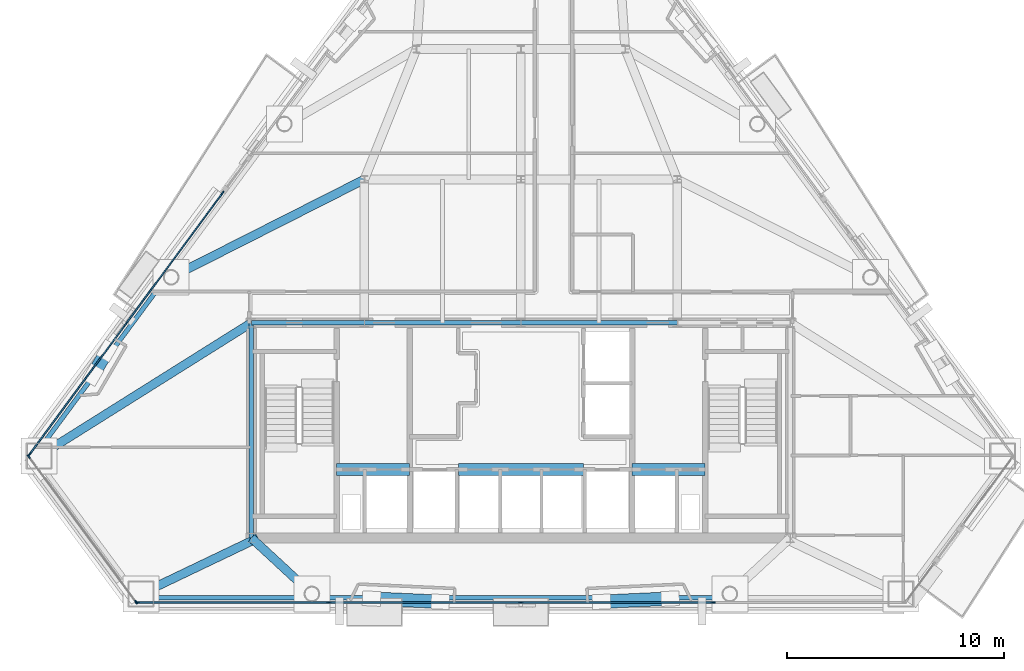
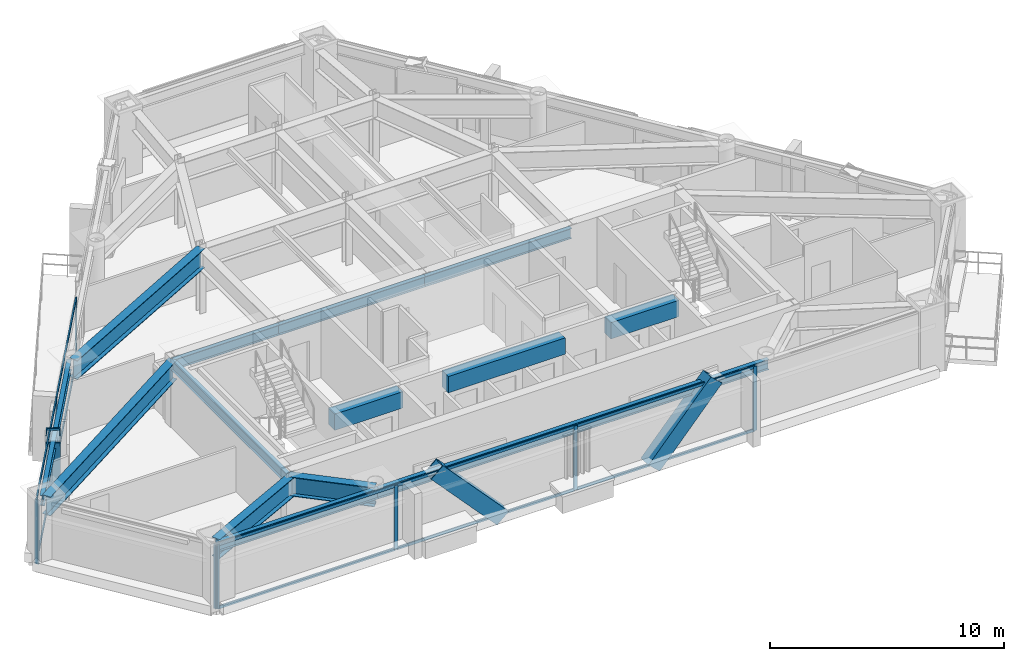
# One storey, part 3 of 11: 22 members, 14 beams, 3 elements without a shape of their own.
"""IFC4 building model written with IfcOpenShell, lengths in metres."""

from ifc_helpers import new_model, si_unit, direction, frame, origin, origin_2d, place, context, subcontext, project, spatial, rectangle, hollow_rectangle, i_section, extrude, material, layer, layer_set, material_profile, profile_set, type_object, element, aggregate, save


model = new_model("IFC4")

# Units and contexts
model_context = context("Model", 3, precision=1e-05, world=origin(), true_north=direction((0.0, 1.0)))
body_context = subcontext(model_context, "Body", "Model", "MODEL_VIEW")
ifc_project = project(units=[si_unit("LENGTHUNIT", "METRE"), si_unit("AREAUNIT", "SQUARE_METRE"), si_unit("VOLUMEUNIT", "CUBIC_METRE"), si_unit("PLANEANGLEUNIT", "RADIAN"), si_unit("MASSUNIT", "GRAM", prefix="KILO")], contexts=[model_context])

# Site, building, storey
site_placement = place(None, origin())
site = spatial("IfcSite", under=ifc_project, at=site_placement, CompositionType="ELEMENT")
building_placement = place(site_placement, origin())
building = spatial("IfcBuilding", under=site, at=building_placement, Name="Talgorran Terracotta Tower", CompositionType="ELEMENT")
storey_placement = place(building_placement, frame((0.0, 0.0, 154.5)))
storey = spatial("IfcBuildingStorey", under=building, at=storey_placement, Name="L40", CompositionType="ELEMENT", Elevation=154.5)

# Beams
ifc_material_1 = material(Name="Steel Grade 350 (350L0)", Category="steel")
ifc_material_profile_1 = material_profile(ifc_material_1, i_section(OverallWidth=0.39990234375, OverallDepth=1.0, WebThickness=0.01611328125, FlangeThickness=0.031005859375, at=origin_2d()), Name="1000WB296")
ifc_profile_set_1 = profile_set([ifc_material_profile_1], Name="Steel Grade 350 (350L0)")
beam_type_1 = type_object("IfcBeamType", Name="BM_1000WB296", PredefinedType="BEAM", material=ifc_profile_set_1)
beam_1_placement = place(storey_placement, frame((-9.615966796875, -16.67431640625, 2.85009765625), z_axis=(-0.734220592544, 0.678910982003, 0.0), x_axis=(-0.678910982003, -0.734220592544, 0.0)))
element("IfcBeam", 1, at=beam_1_placement, inside=storey, type_object=beam_type_1, Name="L40 South-West Core Tie Beam", PredefinedType="BEAM", context=body_context, shape_type="SweptSolid", body=[
    extrude(i_section(OverallWidth=0.39990234375, OverallDepth=1.0, WebThickness=0.01611328125, FlangeThickness=0.031005859375, at=origin_2d()), origin(), (0.0, 0.0, 1.0), 3.791748046875),
])
beam_2_placement = place(storey_placement, frame((-17.483642578125, -16.67431640625, 2.85009765625), z_axis=(0.902168144999, 0.43138455947, 0.0), x_axis=(-0.43138455947, 0.902168144999, 0.0)))
element("IfcBeam", 2, at=beam_2_placement, inside=storey, type_object=beam_type_1, Name="L40 Perimeter Step Girder 2", PredefinedType="BEAM", context=body_context, shape_type="SweptSolid", body=[
    extrude(i_section(OverallWidth=0.39990234375, OverallDepth=1.0, WebThickness=0.01611328125, FlangeThickness=0.031005859375, at=origin_2d()), origin(), (0.0, 0.0, 1.0), 5.96728515625),
])
beam_3_placement = place(storey_placement, frame((-7.199951171875, 2.39990234375, 2.85009765625), z_axis=(-0.892122666424, -0.451793258087, 0.0), x_axis=(0.451793258087, -0.892122666424, 0.0)))
element("IfcBeam", 3, at=beam_3_placement, inside=storey, type_object=beam_type_1, Name="L40 Floor Girder G06", PredefinedType="BEAM", context=body_context, shape_type="SweptSolid", body=[
    extrude(i_section(OverallWidth=0.39990234375, OverallDepth=1.0, WebThickness=0.01611328125, FlangeThickness=0.031005859375, at=origin_2d()), origin(), (0.0, 0.0, 1.0), 9.966796875),
])
beam_4_placement = place(storey_placement, frame((-12.39990234375, -4.199951171875, 2.85009765625), z_axis=(-0.846977550412, -0.531628657145, 0.0), x_axis=(0.531628657145, -0.846977550412, 0.0)))
element("IfcBeam", 4, at=beam_4_placement, inside=storey, type_object=beam_type_1, Name="L40 Floor Girder G17", PredefinedType="BEAM", context=body_context, shape_type="SweptSolid", body=[
    extrude(i_section(OverallWidth=0.39990234375, OverallDepth=1.0, WebThickness=0.01611328125, FlangeThickness=0.031005859375, at=origin_2d()), origin(), (0.0, 0.0, 1.0), 11.533203125),
])
ifc_material_2 = material(Name="Concrete C50/60", Category="concrete")
ifc_material_profile_2 = material_profile(ifc_material_2, rectangle(XDim=0.550048828125, YDim=0.85009765625, at=origin_2d()), Name="RCCB550X850")
ifc_profile_set_2 = profile_set([ifc_material_profile_2], Name="Concrete C50/60")
beam_type_2 = type_object("IfcBeamType", Name="BM_CB_550X850", PredefinedType="LINTEL", material=ifc_profile_set_2)
beam_5_placement = place(storey_placement, frame((-8.47998046875, -10.949951171875, 2.925048828125), z_axis=(1.0, 0.0, 0.0), x_axis=(0.0, 1.0, 0.0)))
element("IfcBeam", 5, at=beam_5_placement, inside=storey, type_object=beam_type_2, Name="L40 Core Shear-Wall Coupling Beam CB1", PredefinedType="LINTEL", context=body_context, shape_type="SweptSolid", body=[
    extrude(rectangle(XDim=0.550048828125, YDim=0.85009765625, at=origin_2d()), origin(), (0.0, 0.0, 1.0), 3.35986328125),
])
beam_6_placement = place(storey_placement, frame((-2.8798828125, -10.949951171875, 2.925048828125), z_axis=(1.0, 0.0, 0.0), x_axis=(0.0, 1.0, 0.0)))
element("IfcBeam", 6, at=beam_6_placement, inside=storey, type_object=beam_type_2, Name="L40 Core Shear-Wall Coupling Beam CB2", PredefinedType="LINTEL", context=body_context, shape_type="SweptSolid", body=[
    extrude(rectangle(XDim=0.550048828125, YDim=0.85009765625, at=origin_2d()), origin(), (0.0, 0.0, 1.0), 5.759765625),
])
beam_7_placement = place(storey_placement, frame((5.1201171875, -10.949951171875, 2.925048828125), z_axis=(1.0, 0.0, 0.0), x_axis=(0.0, 1.0, 0.0)))
element("IfcBeam", 7, at=beam_7_placement, inside=storey, type_object=beam_type_2, Name="L40 Core Shear-Wall Coupling Beam CB3", PredefinedType="LINTEL", context=body_context, shape_type="SweptSolid", body=[
    extrude(rectangle(XDim=0.550048828125, YDim=0.85009765625, at=origin_2d()), origin(), (0.0, 0.0, 1.0), 3.35986328125),
])
ifc_material_3 = material(Name="Steel S355 (300PLUS)", Category="steel")
ifc_material_profile_3 = material_profile(ifc_material_3, i_section(OverallWidth=0.209228515625, OverallDepth=0.532958984375, WebThickness=0.01025390625, FlangeThickness=0.015625, at=origin_2d()), Name="530UB92.4")
ifc_profile_set_3 = profile_set([ifc_material_profile_3], Name="Steel S355 (300PLUS)")
beam_type_3 = type_object("IfcBeamType", Name="BM_SP_530UB92", PredefinedType="SPANDREL", material=ifc_profile_set_3)
beam_8_placement = place(storey_placement, frame((-17.483642578125, -16.8544921875, 3.08349609375), z_axis=(1.0, 0.0, 0.0), x_axis=(0.0, 1.0, 0.0)))
element("IfcBeam", 8, at=beam_8_placement, inside=storey, type_object=beam_type_3, Name="L40 Perimeter Spandrel Beam MC2-FC1", PredefinedType="SPANDREL", context=body_context, shape_type="SweptSolid", body=[
    extrude(i_section(OverallWidth=0.209228515625, OverallDepth=0.532958984375, WebThickness=0.01025390625, FlangeThickness=0.015625, at=origin_2d()), origin(), (0.0, 0.0, 1.0), 7.86767578125),
])
beam_9_placement = place(storey_placement, frame((-9.615966796875, -16.8544921875, 3.08349609375), z_axis=(1.0, 0.0, 0.0), x_axis=(0.0, 1.0, 0.0)))
element("IfcBeam", 9, at=beam_9_placement, inside=storey, type_object=beam_type_3, Name="L40 Perimeter Spandrel Beam FC1-FC2", PredefinedType="SPANDREL", context=body_context, shape_type="SweptSolid", body=[
    extrude(i_section(OverallWidth=0.209228515625, OverallDepth=0.532958984375, WebThickness=0.01025390625, FlangeThickness=0.015625, at=origin_2d()), origin(), (0.0, 0.0, 1.0), 19.23193359375),
])
beam_10_placement = place(storey_placement, frame((-16.236328125, -1.99609375, 3.08349609375), z_axis=(-0.594068215055, -0.804414666613, 0.0), x_axis=(0.804414666613, -0.594068215055, 0.0)))
element("IfcBeam", 10, at=beam_10_placement, inside=storey, type_object=beam_type_3, Name="L40 Perimeter Spandrel Beam FC6-MC1", PredefinedType="SPANDREL", context=body_context, shape_type="SweptSolid", body=[
    extrude(i_section(OverallWidth=0.209228515625, OverallDepth=0.532958984375, WebThickness=0.01025390625, FlangeThickness=0.015625, at=origin_2d()), origin(), (0.0, 0.0, 1.0), 10.22900390625),
])
beam_11_placement = place(storey_placement, frame((-12.39990234375, -14.10009765625, 3.08349609375), z_axis=(0.0, 1.0, 0.0), x_axis=(-1.0, 0.0, 0.0)))
element("IfcBeam", 11, at=beam_11_placement, inside=storey, type_object=beam_type_3, Name="L40 Core Frame Beam CFW", PredefinedType="SPANDREL", context=body_context, shape_type="SweptSolid", body=[
    extrude(i_section(OverallWidth=0.209228515625, OverallDepth=0.532958984375, WebThickness=0.01025390625, FlangeThickness=0.015625, at=origin_2d()), origin(), (0.0, 0.0, 1.0), 9.900146484375),
])
beam_12_placement = place(storey_placement, frame((-12.39990234375, -4.199951171875, 3.08349609375), z_axis=(1.0, 0.0, 0.0), x_axis=(0.0, 1.0, 0.0)))
element("IfcBeam", 12, at=beam_12_placement, inside=storey, type_object=beam_type_3, Name="L40 Core Frame Beam CFN1", PredefinedType="SPANDREL", context=body_context, shape_type="SweptSolid", body=[
    extrude(i_section(OverallWidth=0.209228515625, OverallDepth=0.532958984375, WebThickness=0.01025390625, FlangeThickness=0.015625, at=origin_2d()), origin(), (0.0, 0.0, 1.0), 5.199951171875),
])
for number, where, z_axis, x_axis, name in (
    (13, (-7.199951171875, -4.199951171875, 3.08349609375), (1.0, 0.0, 0.0), (0.0, 1.0, 0.0), "L40 Core Frame Beam CFN2"),
    (14, (0.0, -4.199951171875, 3.08349609375), (1.0, 0.0, 0.0), (0.0, 1.0, 0.0), "L40 Core Frame Beam CFN3"),
):
    element("IfcBeam", number, at=place(storey_placement, frame(where, z_axis=z_axis, x_axis=x_axis)), inside=storey, type_object=beam_type_3, Name=name, PredefinedType="SPANDREL", context=body_context, shape_type="SweptSolid", body=[
        extrude(i_section(OverallWidth=0.209228515625, OverallDepth=0.532958984375, WebThickness=0.01025390625, FlangeThickness=0.015625, at=origin_2d()), origin(), (0.0, 0.0, 1.0), 7.199951171875),
    ])

# Members
ifc_material_profile_4 = material_profile(ifc_material_1, hollow_rectangle(XDim=0.6201171875, YDim=0.780029296875, WallThickness=0.0419921875, at=origin_2d()), Name="WBOX780X620X42")
ifc_profile_set_4 = profile_set([ifc_material_profile_4], Name="Steel Grade 350 (350L0)")
member_type_1 = type_object("IfcMemberType", Name="MB_MEGA_780", PredefinedType="BRACE", material=ifc_profile_set_4)
for number, where, z_axis, x_axis, name in (
    (15, (-3.709716796875, -17.034423828125, -0.02490234375), (-0.680536774119, 0.031119864845, 0.732052766598), (-0.045680674118, -0.998956093135, 0.0), "L40 Exterior Face Mega-Brace MB-2 (SWF)"),
    (16, (3.709716796875, -17.034423828125, -0.02490234375), (0.680536774119, 0.031119864845, 0.732052766598), (-0.045680674118, 0.998956093135, 0.0), "L40 Exterior Face Mega-Brace MB-2 (SEF)"),
):
    element("IfcMember", number, at=place(storey_placement, frame(where, z_axis=z_axis, x_axis=x_axis)), inside=storey, type_object=member_type_1, Name=name, PredefinedType="BRACE", context=body_context, shape_type="SweptSolid", body=[
        extrude(hollow_rectangle(XDim=0.6201171875, YDim=0.780029296875, WallThickness=0.0419921875, at=origin_2d()), origin(), (0.0, 0.0, 1.0), 4.644287109375),
    ])
member_1_placement = place(storey_placement, frame((-19.037353515625, -5.48583984375, -0.02490234375), z_axis=(-0.178524547702, -0.305399216855, 0.935339673174), x_axis=(0.863317156453, -0.504661755411, 0.0)))
element("IfcMember", 17, at=member_1_placement, inside=storey, type_object=member_type_1, Name="L40 Exterior Face Mega-Brace MB-2 (NWL)", PredefinedType="BRACE", context=body_context, shape_type="SweptSolid", body=[
    extrude(hollow_rectangle(XDim=0.6201171875, YDim=0.780029296875, WallThickness=0.0419921875, at=origin_2d()), origin(), (0.0, 0.0, 1.0), 3.635009765625),
])

# Curtain wall, members
ifc_material_4 = material(Name="Unitised Low-E Double Glazing", Category="glass")
ifc_layer = layer(ifc_material_4, 0.199951171875, Name="CW_SYS2_RES_LOW")
ifc_layer_set = layer_set([ifc_layer], Name="Unitised Low-E Double Glazing")
curtain_wall_type = type_object("IfcCurtainWallType", Name="CW_SYS2_RES_LOW", PredefinedType="NOTDEFINED", material=ifc_layer_set)
curtain_wall_1_placement = place(storey_placement, origin())
curtain_wall_1 = element("IfcCurtainWall", 18, at=curtain_wall_1_placement, inside=storey, type_object=curtain_wall_type, Name="CW-L40-F0", PredefinedType="NOTDEFINED")
ifc_material_5 = material(Name="Architectural Aluminium 6063-T6", Category="aluminium")
ifc_material_profile_5 = material_profile(ifc_material_5, rectangle(XDim=0.06494140625, YDim=0.18505859375, at=origin_2d()), Name="CWM65X185")
ifc_profile_set_5 = profile_set([ifc_material_profile_5], Name="Architectural Aluminium 6063-T6")
member_type_2 = type_object("IfcMemberType", Name="MUL_65X185", PredefinedType="MULLION", material=ifc_profile_set_5)
member_2_placement = place(storey_placement, frame((-22.646240234375, -10.357421875, 0.0), z_axis=(0.0, 0.0, 1.0), x_axis=(0.804404412487, 0.594082099689, 0.0)))
member_2 = element("IfcMember", 19, at=member_2_placement, type_object=member_type_2, Name="CW-L40-0 mullion 1", PredefinedType="MULLION", context=body_context, shape_type="SweptSolid", body=[
    extrude(rectangle(XDim=0.06494140625, YDim=0.18505859375, at=origin_2d()), origin(), (0.0, 0.0, 1.0), 3.35009765625),
])
member_3_placement = place(storey_placement, frame((-17.70458984375, -17.04833984375, 0.0), z_axis=(0.0, 0.0, 1.0), x_axis=(0.804404412487, 0.594082099689, 0.0)))
member_3 = element("IfcMember", 20, at=member_3_placement, type_object=member_type_2, Name="CW-L40-0 mullion 2", PredefinedType="MULLION", context=body_context, shape_type="SweptSolid", body=[
    extrude(rectangle(XDim=0.06494140625, YDim=0.18505859375, at=origin_2d()), origin(), (0.0, 0.0, 1.0), 3.35009765625),
])
aggregate(curtain_wall_1, [member_2, member_3])

curtain_wall_2_placement = place(storey_placement, origin())
curtain_wall_2 = element("IfcCurtainWall", 21, at=curtain_wall_2_placement, inside=storey, type_object=curtain_wall_type, Name="CW-L40-F1", PredefinedType="NOTDEFINED")
member_4_placement = place(storey_placement, frame((-17.65283203125, -17.074462890625, 0.0), z_axis=(0.0, 0.0, 1.0), x_axis=(0.0, 1.0, 0.0)))
member_4 = element("IfcMember", 22, at=member_4_placement, type_object=member_type_2, Name="CW-L40-1 mullion 1", PredefinedType="MULLION", context=body_context, shape_type="SweptSolid", body=[
    extrude(rectangle(XDim=0.06494140625, YDim=0.18505859375, at=origin_2d()), origin(), (0.0, 0.0, 1.0), 3.35009765625),
])
member_5_placement = place(storey_placement, frame((-8.8427734375, -17.074462890625, 0.0), z_axis=(0.0, 0.0, 1.0), x_axis=(0.0, 1.0, 0.0)))
member_5 = element("IfcMember", 23, at=member_5_placement, type_object=member_type_2, Name="CW-L40-1 mullion 2", PredefinedType="MULLION", context=body_context, shape_type="SweptSolid", body=[
    extrude(rectangle(XDim=0.06494140625, YDim=0.18505859375, at=origin_2d()), origin(), (0.0, 0.0, 1.0), 3.35009765625),
])
member_6_placement = place(storey_placement, frame((0.0, -17.074462890625, 0.0), z_axis=(0.0, 0.0, 1.0), x_axis=(0.0, 1.0, 0.0)))
member_6 = element("IfcMember", 24, at=member_6_placement, type_object=member_type_2, Name="CW-L40-1 mullion 3", PredefinedType="MULLION", context=body_context, shape_type="SweptSolid", body=[
    extrude(rectangle(XDim=0.06494140625, YDim=0.18505859375, at=origin_2d()), origin(), (0.0, 0.0, 1.0), 3.35009765625),
])
member_7_placement = place(storey_placement, frame((8.8427734375, -17.074462890625, 0.0), z_axis=(0.0, 0.0, 1.0), x_axis=(0.0, 1.0, 0.0)))
member_7 = element("IfcMember", 25, at=member_7_placement, type_object=member_type_2, Name="CW-L40-1 mullion 4", PredefinedType="MULLION", context=body_context, shape_type="SweptSolid", body=[
    extrude(rectangle(XDim=0.06494140625, YDim=0.18505859375, at=origin_2d()), origin(), (0.0, 0.0, 1.0), 3.35009765625),
])

curtain_wall_3_placement = place(storey_placement, origin())
curtain_wall_3 = element("IfcCurtainWall", 26, at=curtain_wall_3_placement, inside=storey, type_object=curtain_wall_type, Name="CW-L40-F61", PredefinedType="NOTDEFINED")
member_8_placement = place(storey_placement, frame((-13.72607421875, 1.7734375, 0.0), z_axis=(0.0, 0.0, 1.0), x_axis=(0.804410292262, -0.594074138221, 0.0)))
member_8 = element("IfcMember", 27, at=member_8_placement, type_object=member_type_2, Name="CW-L40-61 mullion 1", PredefinedType="MULLION", context=body_context, shape_type="SweptSolid", body=[
    extrude(rectangle(XDim=0.06494140625, YDim=0.18505859375, at=origin_2d()), origin(), (0.0, 0.0, 1.0), 3.35009765625),
])
member_9_placement = place(storey_placement, frame((-18.17431640625, -4.249755859375, 0.0), z_axis=(0.0, 0.0, 1.0), x_axis=(0.804410292262, -0.594074138221, 0.0)))
member_9 = element("IfcMember", 28, at=member_9_placement, type_object=member_type_2, Name="CW-L40-61 mullion 2", PredefinedType="MULLION", context=body_context, shape_type="SweptSolid", body=[
    extrude(rectangle(XDim=0.06494140625, YDim=0.18505859375, at=origin_2d()), origin(), (0.0, 0.0, 1.0), 3.35009765625),
])
member_10_placement = place(storey_placement, frame((-22.622314453125, -10.27294921875, 0.0), z_axis=(0.0, 0.0, 1.0), x_axis=(0.804410292262, -0.594074138221, 0.0)))
member_10 = element("IfcMember", 29, at=member_10_placement, type_object=member_type_2, Name="CW-L40-61 mullion 3", PredefinedType="MULLION", context=body_context, shape_type="SweptSolid", body=[
    extrude(rectangle(XDim=0.06494140625, YDim=0.18505859375, at=origin_2d()), origin(), (0.0, 0.0, 1.0), 3.35009765625),
])

# Member
ifc_material_profile_6 = material_profile(ifc_material_5, rectangle(XDim=0.06494140625, YDim=0.14990234375, at=origin_2d()), Name="CWT65X150")
ifc_profile_set_6 = profile_set([ifc_material_profile_6], Name="Architectural Aluminium 6063-T6")
member_type_3 = type_object("IfcMemberType", Name="TRN_65X150", PredefinedType="USERDEFINED", material=ifc_profile_set_6)
member_11_placement = place(storey_placement, frame((-17.620361328125, -17.074462890625, 0.032470703125), z_axis=(1.0, 0.0, 0.0), x_axis=(0.0, 1.0, 0.0)))
member_11 = element("IfcMember", 30, at=member_11_placement, type_object=member_type_3, Name="CW-L40-1 transom 1.1", ObjectType="TRANSOM", PredefinedType="USERDEFINED", context=body_context, shape_type="SweptSolid", body=[
    extrude(rectangle(XDim=0.06494140625, YDim=0.14990234375, at=origin_2d()), origin(), (0.0, 0.0, 1.0), 8.7451171875),
])

member_12_placement = place(storey_placement, frame((-17.620361328125, -17.074462890625, 3.3173828125), z_axis=(1.0, 0.0, 0.0), x_axis=(0.0, 1.0, 0.0)))
member_12 = element("IfcMember", 31, at=member_12_placement, type_object=member_type_3, Name="CW-L40-1 transom 1.2", ObjectType="TRANSOM", PredefinedType="USERDEFINED", context=body_context, shape_type="SweptSolid", body=[
    extrude(rectangle(XDim=0.06494140625, YDim=0.14990234375, at=origin_2d()), origin(), (0.0, 0.0, 1.0), 8.7451171875),
])

member_13_placement = place(storey_placement, frame((-8.810302734375, -17.074462890625, 0.032470703125), z_axis=(1.0, 0.0, 0.0), x_axis=(0.0, 1.0, 0.0)))
member_13 = element("IfcMember", 32, at=member_13_placement, type_object=member_type_3, Name="CW-L40-1 transom 2.1", ObjectType="TRANSOM", PredefinedType="USERDEFINED", context=body_context, shape_type="SweptSolid", body=[
    extrude(rectangle(XDim=0.06494140625, YDim=0.14990234375, at=origin_2d()), origin(), (0.0, 0.0, 1.0), 8.77783203125),
])

member_14_placement = place(storey_placement, frame((-8.810302734375, -17.074462890625, 3.3173828125), z_axis=(1.0, 0.0, 0.0), x_axis=(0.0, 1.0, 0.0)))
member_14 = element("IfcMember", 33, at=member_14_placement, type_object=member_type_3, Name="CW-L40-1 transom 2.2", ObjectType="TRANSOM", PredefinedType="USERDEFINED", context=body_context, shape_type="SweptSolid", body=[
    extrude(rectangle(XDim=0.06494140625, YDim=0.14990234375, at=origin_2d()), origin(), (0.0, 0.0, 1.0), 8.77783203125),
])

member_15_placement = place(storey_placement, frame((0.032470703125, -17.074462890625, 0.032470703125), z_axis=(1.0, 0.0, 0.0), x_axis=(0.0, 1.0, 0.0)))
member_15 = element("IfcMember", 34, at=member_15_placement, type_object=member_type_3, Name="CW-L40-1 transom 3.1", ObjectType="TRANSOM", PredefinedType="USERDEFINED", context=body_context, shape_type="SweptSolid", body=[
    extrude(rectangle(XDim=0.06494140625, YDim=0.14990234375, at=origin_2d()), origin(), (0.0, 0.0, 1.0), 8.77783203125),
])

member_16_placement = place(storey_placement, frame((0.032470703125, -17.074462890625, 3.3173828125), z_axis=(1.0, 0.0, 0.0), x_axis=(0.0, 1.0, 0.0)))
member_16 = element("IfcMember", 35, at=member_16_placement, type_object=member_type_3, Name="CW-L40-1 transom 3.2", ObjectType="TRANSOM", PredefinedType="USERDEFINED", context=body_context, shape_type="SweptSolid", body=[
    extrude(rectangle(XDim=0.06494140625, YDim=0.14990234375, at=origin_2d()), origin(), (0.0, 0.0, 1.0), 8.77783203125),
])

aggregate(curtain_wall_2, [member_4, member_5, member_6, member_7, member_11, member_12, member_13, member_14, member_15, member_16])

member_17_placement = place(storey_placement, frame((-13.745361328125, 1.747314453125, 0.032470703125), z_axis=(-0.594052524022, -0.80442625436, 0.0), x_axis=(0.80442625436, -0.594052524022, 0.0)))
member_17 = element("IfcMember", 36, at=member_17_placement, type_object=member_type_3, Name="CW-L40-61 transom 1.1", ObjectType="TRANSOM", PredefinedType="USERDEFINED", context=body_context, shape_type="SweptSolid", body=[
    extrude(rectangle(XDim=0.06494140625, YDim=0.14990234375, at=origin_2d()), origin(), (0.0, 0.0, 1.0), 7.422607421875),
])

member_18_placement = place(storey_placement, frame((-13.745361328125, 1.747314453125, 3.3173828125), z_axis=(-0.594052524022, -0.80442625436, 0.0), x_axis=(0.80442625436, -0.594052524022, 0.0)))
member_18 = element("IfcMember", 37, at=member_18_placement, type_object=member_type_3, Name="CW-L40-61 transom 1.2", ObjectType="TRANSOM", PredefinedType="USERDEFINED", context=body_context, shape_type="SweptSolid", body=[
    extrude(rectangle(XDim=0.06494140625, YDim=0.14990234375, at=origin_2d()), origin(), (0.0, 0.0, 1.0), 7.422607421875),
])

member_19_placement = place(storey_placement, frame((-18.193603515625, -4.27587890625, 0.032470703125), z_axis=(-0.594052524022, -0.80442625436, 0.0), x_axis=(0.80442625436, -0.594052524022, 0.0)))
member_19 = element("IfcMember", 38, at=member_19_placement, type_object=member_type_3, Name="CW-L40-61 transom 2.1", ObjectType="TRANSOM", PredefinedType="USERDEFINED", context=body_context, shape_type="SweptSolid", body=[
    extrude(rectangle(XDim=0.06494140625, YDim=0.14990234375, at=origin_2d()), origin(), (0.0, 0.0, 1.0), 7.422607421875),
])

member_20_placement = place(storey_placement, frame((-18.193603515625, -4.27587890625, 3.3173828125), z_axis=(-0.594052524022, -0.80442625436, 0.0), x_axis=(0.80442625436, -0.594052524022, 0.0)))
member_20 = element("IfcMember", 39, at=member_20_placement, type_object=member_type_3, Name="CW-L40-61 transom 2.2", ObjectType="TRANSOM", PredefinedType="USERDEFINED", context=body_context, shape_type="SweptSolid", body=[
    extrude(rectangle(XDim=0.06494140625, YDim=0.14990234375, at=origin_2d()), origin(), (0.0, 0.0, 1.0), 7.422607421875),
])

aggregate(curtain_wall_3, [member_8, member_9, member_10, member_17, member_18, member_19, member_20])

save(model, "model.ifc")
